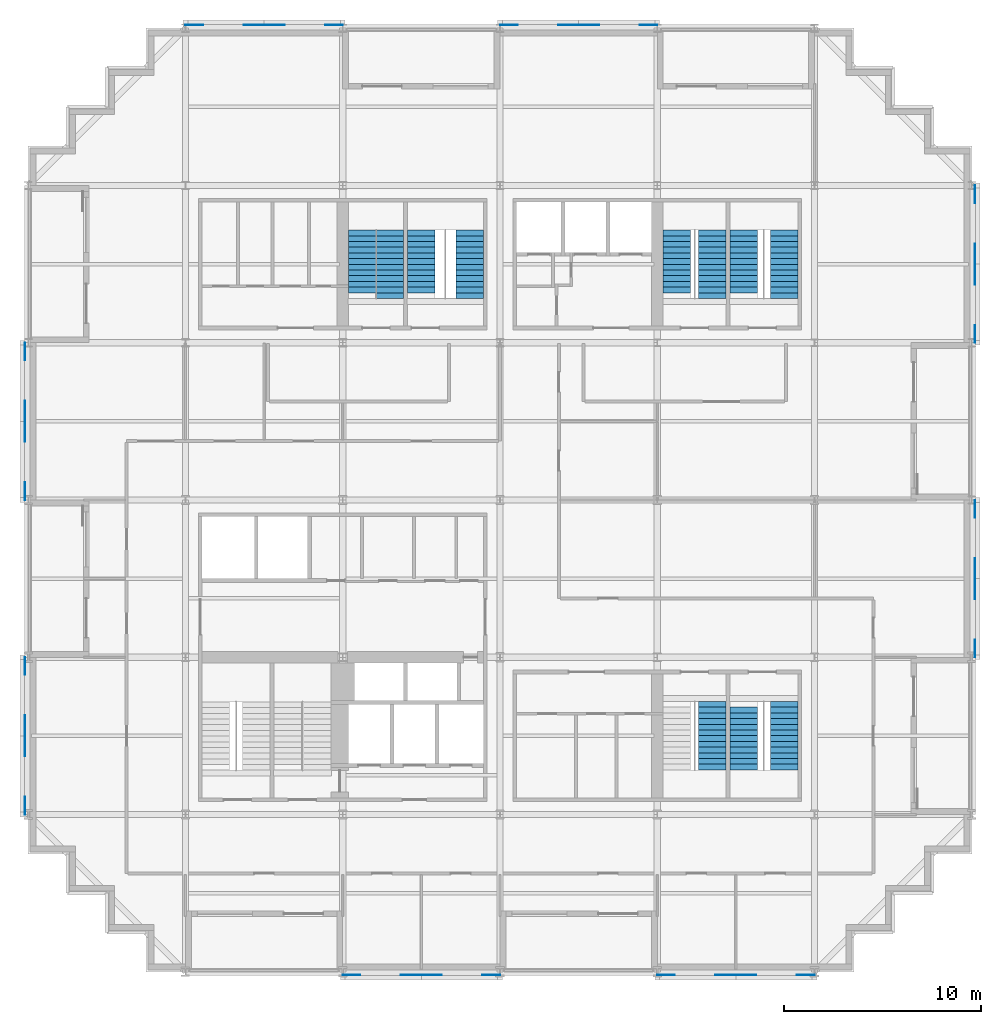
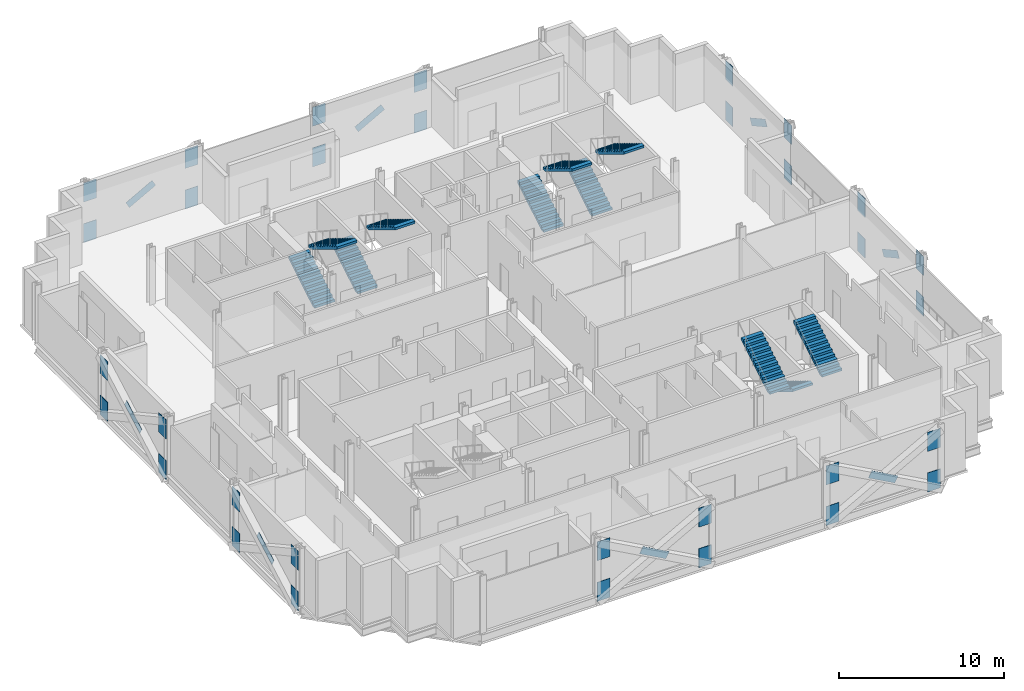
# One storey, part 10 of 12: 40 discrete accessories, 11 stair flights, 6 elements without a shape of their own.
"""IFC4 building model written with IfcOpenShell, lengths in metres."""

import ifcopenshell
import ifcopenshell.guid

model = None  # the IFC model being written
_history = None  # IfcOwnerHistory: only IFC2X3 demands one
_inside = {}  # id of a spatial element -> (the spatial element, [elements in it])
_under = {}  # id of a project, library or spatial element -> (it, [spatial elements below it])
_declared = {}  # id of a project -> (the project, [libraries it declares])
_typed = {}  # id of a type object -> (the type object, [elements of that type])
_made_of = {}  # id of a material, layer set ... -> (it, [elements and type objects made of it])


def new_model(schema):
    """Start an empty IFC model of exactly this schema.

    Asked for "IFC4X3", IfcOpenShell would pick the latest addendum, in which some entities
    have other attributes; the version numbers below select the first issue.
    IFC2X3 requires an IfcOwnerHistory on every rooted entity: one is made here for all.
    """
    global model, _history
    if schema == "IFC4X3":
        model = ifcopenshell.file(schema_version=(4, 3, 0, 0))
    else:
        model = ifcopenshell.file(schema=schema)
    _inside.clear()
    _under.clear()
    _declared.clear()
    _typed.clear()
    _made_of.clear()
    _history = None
    if model.schema == "IFC2X3":
        org = make("IfcOrganization", Name="unknown")
        user = make(
            "IfcPersonAndOrganization",
            ThePerson=make("IfcPerson", FamilyName="unknown"),
            TheOrganization=org,
        )
        app = make(
            "IfcApplication",
            ApplicationDeveloper=org,
            Version="unknown",
            ApplicationFullName="unknown",
            ApplicationIdentifier="unknown",
        )
        _history = make(
            "IfcOwnerHistory",
            OwningUser=user,
            OwningApplication=app,
            ChangeAction="ADDED",
            CreationDate=0,
        )
    return model


def make(cls, **values):
    """One entity of the class cls with the attributes given. An attribute that is None is left unset."""
    return model.create_entity(
        cls, **{name: value for name, value in values.items() if value is not None}
    )


def rooted(cls, **values):
    """An entity with a GlobalId (a new one), such as an element, a storey or a relation."""
    return make(cls, GlobalId=ifcopenshell.guid.new(), OwnerHistory=_history, **values)


def si_unit(unit_type, name, prefix=None):
    """IfcSIUnit, for example si_unit("LENGTHUNIT", "METRE", prefix="MILLI")."""
    return make("IfcSIUnit", UnitType=unit_type, Prefix=prefix, Name=name)


def assignment(units):
    """IfcUnitAssignment: the units of a project."""
    return None if units is None else make("IfcUnitAssignment", Units=units)


def point(xyz):
    """IfcCartesianPoint."""
    return None if xyz is None else make("IfcCartesianPoint", Coordinates=xyz)


def direction(xyz):
    """IfcDirection."""
    return None if xyz is None else make("IfcDirection", DirectionRatios=xyz)


def frame(location, z_axis=None, x_axis=None):
    """IfcAxis2Placement3D, a coordinate frame: its origin and axes. An axis left out is left unset."""
    return make(
        "IfcAxis2Placement3D",
        Location=point(location),
        Axis=direction(z_axis),
        RefDirection=direction(x_axis),
    )


def frame_2d(location, x_axis=None):
    """IfcAxis2Placement2D, a coordinate frame in the plane: its origin and x axis."""
    return make(
        "IfcAxis2Placement2D", Location=point(location), RefDirection=direction(x_axis)
    )


def origin():
    """The frame at (0, 0, 0) with its axes left unset."""
    return frame((0.0, 0.0, 0.0))


def origin_2d():
    """The frame at (0, 0) in the plane with its x axis left unset."""
    return frame_2d((0.0, 0.0))


def place(relative_to, where):
    """IfcLocalPlacement: puts the frame where relative to a parent placement (None: the world)."""
    return make(
        "IfcLocalPlacement", PlacementRelTo=relative_to, RelativePlacement=where
    )


def context(
    kind, dimensions, precision=None, world=None, true_north=None, identifier=None
):
    """IfcGeometricRepresentationContext, for example the 3D "Model" context."""
    return make(
        "IfcGeometricRepresentationContext",
        ContextIdentifier=identifier,
        ContextType=kind,
        CoordinateSpaceDimension=dimensions,
        Precision=precision,
        WorldCoordinateSystem=world,
        TrueNorth=true_north,
    )


def subcontext(parent, identifier, kind, view, scale=None):
    """IfcGeometricRepresentationSubContext, for example "Body" below "Model"."""
    return make(
        "IfcGeometricRepresentationSubContext",
        ContextIdentifier=identifier,
        ContextType=kind,
        ParentContext=parent,
        TargetScale=scale,
        TargetView=view,
    )


def project(units=None, contexts=None):
    """IfcProject with its units and contexts."""
    return rooted(
        "IfcProject",
        Name="project",
        RepresentationContexts=contexts,
        UnitsInContext=assignment(units),
    )


def spatial(cls, under=None, at=None, **own):
    """A site, building, storey or space (cls), placed at a placement, below another one or the project."""
    s = rooted(cls, ObjectPlacement=at, **own)
    if under is not None:
        _under.setdefault(under.id(), (under, []))[1].append(s)
    return s


def polyline(points):
    """IfcPolyline through the points."""
    return make("IfcPolyline", Points=[point(p) for p in points])


def profile(cls, at=None, kind="AREA", **sizes):
    """A parametric profile (cls). Its sizes go by their IFC names, for example OverallWidth=200.0."""
    return make(cls, ProfileType=kind, Position=at, **sizes)


def rectangle(**sizes):
    """IfcRectangleProfileDef."""
    return profile("IfcRectangleProfileDef", **sizes)


def outline(outer, holes=None, kind="AREA"):
    """IfcArbitraryClosedProfileDef: a profile drawn as a closed curve; with holes, ...WithVoids."""
    if holes is None:
        return make("IfcArbitraryClosedProfileDef", ProfileType=kind, OuterCurve=outer)
    return make(
        "IfcArbitraryProfileDefWithVoids",
        ProfileType=kind,
        OuterCurve=outer,
        InnerCurves=holes,
    )


def extrude(swept, where, along, depth):
    """IfcExtrudedAreaSolid: the profile swept, set in the frame where, extruded along a direction by depth."""
    return make(
        "IfcExtrudedAreaSolid",
        SweptArea=swept,
        Position=where,
        ExtrudedDirection=direction(along),
        Depth=depth,
    )


def shape(context_of_items, identifier, shape_type, items):
    """IfcShapeRepresentation: the items that make up one representation, for example the "Body"."""
    return make(
        "IfcShapeRepresentation",
        ContextOfItems=context_of_items,
        RepresentationIdentifier=identifier,
        RepresentationType=shape_type,
        Items=items,
    )


def material(Name=None, Category=None):
    """IfcMaterial."""
    return make("IfcMaterial", Name=Name, Category=Category)


def material_profile(
    of_material, cross_section, Name=None, Category=None, Priority=None
):
    """IfcMaterialProfile: a cross section and its material."""
    return make(
        "IfcMaterialProfile",
        Name=Name,
        Material=of_material,
        Profile=cross_section,
        Priority=Priority,
        Category=Category,
    )


def profile_set(profiles, Name=None, composite=None):
    """IfcMaterialProfileSet."""
    return make(
        "IfcMaterialProfileSet",
        Name=Name,
        MaterialProfiles=profiles,
        CompositeProfile=composite,
    )


def made_of(thing, what):
    """Note that an element or type object is made of a material, layer set ...; save() writes the relation."""
    if what is not None:
        _made_of.setdefault(what.id(), (what, []))[1].append(thing)
    return thing


def type_object(cls, material=None, **own):
    """A type object (cls), such as IfcWallType, which elements share."""
    return made_of(rooted(cls, **own), material)


def element(
    cls,
    number,
    at=None,
    inside=None,
    cuts=None,
    type_object=None,
    material=None,
    context=None,
    identifier="Body",
    shape_type=None,
    held_by="IfcProductDefinitionShape",
    body=None,
    shapes=None,
    **own,
):
    """One element of the class cls, such as IfcWall. Its Tag is "e" and its number.

    at: its placement. inside: the storey or other place that contains it. cuts: it is an
    opening in that element (IfcRelVoidsElement). A single representation is given by context,
    identifier, shape_type and body (its items); several are given by shapes. held_by: the class
    of the entity that holds the representations. save() writes the other relations.
    """
    e = rooted(cls, Tag="e%d" % number, ObjectPlacement=at, **own)
    if body is not None:
        shapes = [shape(context, identifier, shape_type, body)]
    if shapes is not None:
        e.Representation = make(held_by, Representations=shapes)
    if inside is not None:
        _inside.setdefault(inside.id(), (inside, []))[1].append(e)
    if cuts is not None:
        rooted(
            "IfcRelVoidsElement", RelatingBuildingElement=cuts, RelatedOpeningElement=e
        )
    if type_object is not None:
        _typed.setdefault(type_object.id(), (type_object, []))[1].append(e)
    return made_of(e, material)


def aggregate(whole, parts):
    """IfcRelAggregates: a whole, such as a stair, and the parts it consists of."""
    return rooted("IfcRelAggregates", RelatingObject=whole, RelatedObjects=parts)


def save(model, path):
    """Write the relations noted so far, then the file.

    IfcRelAggregates (storeys below a building ...), IfcRelContainedInSpatialStructure (elements
    in a storey), IfcRelDefinesByType, IfcRelAssociatesMaterial and IfcRelDeclares: one each for
    every whole, place, type object, material and project.
    """
    for whole, parts in _under.values():
        aggregate(whole, parts)
    for where, things in _inside.values():
        rooted(
            "IfcRelContainedInSpatialStructure",
            RelatedElements=things,
            RelatingStructure=where,
        )
    for kind, things in _typed.values():
        rooted("IfcRelDefinesByType", RelatedObjects=things, RelatingType=kind)
    for what, things in _made_of.values():
        rooted("IfcRelAssociatesMaterial", RelatedObjects=things, RelatingMaterial=what)
    for by, libraries in _declared.values():
        rooted("IfcRelDeclares", RelatingContext=by, RelatedDefinitions=libraries)
    model.write(path)


model = new_model("IFC4")

# Units and contexts
model_context = context("Model", 3, precision=1e-05, world=origin(), true_north=direction((0.0, 1.0)))
body_context = subcontext(model_context, "Body", "Model", "MODEL_VIEW")
ifc_project = project(units=[si_unit("LENGTHUNIT", "METRE"), si_unit("AREAUNIT", "SQUARE_METRE"), si_unit("VOLUMEUNIT", "CUBIC_METRE"), si_unit("PLANEANGLEUNIT", "RADIAN"), si_unit("MASSUNIT", "GRAM", prefix="KILO")], contexts=[model_context])

# Site, building, storey
site_placement = place(None, origin())
site = spatial("IfcSite", under=ifc_project, at=site_placement, CompositionType="ELEMENT")
building_placement = place(site_placement, origin())
building = spatial("IfcBuilding", under=site, at=building_placement, Name="Immortelle Media Tower", CompositionType="ELEMENT")
storey_placement = place(building_placement, frame((0.0, 0.0, 52.39990234375)))
storey = spatial("IfcBuildingStorey", under=building, at=storey_placement, Name="L08", CompositionType="ELEMENT", Elevation=52.39990234375)

# Stair, stair flight
ifc_material_1 = material(Name="Steel ASTM A992 Gr 50", Category="steel")
stair_type = type_object("IfcStairType", Name="Stair with flights", PredefinedType="DOUBLE_RETURN_STAIR", material=ifc_material_1)
stair_1_placement = place(storey_placement, origin())
stair_1 = element("IfcStair", 1, at=stair_1_placement, inside=storey, type_object=stair_type, Name="Exit stair SE1", PredefinedType="DOUBLE_RETURN_STAIR")
stair_flight_type = type_object("IfcStairFlightType", Name="Stair flight 1400", PredefinedType="STRAIGHT", material=ifc_material_1)
stair_flight_1_placement = place(storey_placement, frame((34.800048828125, 10.27001953125, 2.112060546875), z_axis=(0.0, 0.0, 1.0), x_axis=(0.0, 1.0, 0.0)))
stair_flight_1 = element("IfcStairFlight", 2, at=stair_flight_1_placement, type_object=stair_flight_type, Name="ST SE1 flight 2", NumberOfRisers=13, NumberOfTreads=12, PredefinedType="STRAIGHT", RiserHeight=0.176, TreadLength=0.29, context=body_context, shape_type="SweptSolid", body=[
    extrude(outline(polyline([(0.0, 0.0), (0.0, 0.176025390625), (0.2900390625, 0.176025390625), (0.2900390625, 0.35205078125), (0.580078125, 0.35205078125), (0.580078125, 0.528076171875), (0.8701171875, 0.528076171875), (0.8701171875, 0.7041015625), (1.159912109375, 0.7041015625), (1.159912109375, 0.8798828125), (1.449951171875, 0.8798828125), (1.449951171875, 1.055908203125), (1.739990234375, 1.055908203125), (1.739990234375, 1.23193359375), (2.030029296875, 1.23193359375), (2.030029296875, 1.407958984375), (2.320068359375, 1.407958984375), (2.320068359375, 1.583984375), (2.610107421875, 1.583984375), (2.610107421875, 1.760009765625), (2.89990234375, 1.760009765625), (2.89990234375, 1.93603515625), (3.18994140625, 1.93603515625), (3.18994140625, 2.112060546875), (3.47998046875, 2.112060546875), (3.47998046875, 2.2880859375), (3.47998046875, 1.936767578125), (0.288818359375, 0.0), (0.0, 0.0)])), frame((0.0, 0.699951171875, 0.0), z_axis=(0.0, -1.0, 0.0), x_axis=(1.0, 0.0, 0.0)), (0.0, 0.0, 1.0), 1.39990234375),
])
aggregate(stair_1, [stair_flight_1])

# Stair, stair flights
stair_2_placement = place(storey_placement, origin())
stair_2 = element("IfcStair", 3, at=stair_2_placement, inside=storey, type_object=stair_type, Name="Exit stair SE2", PredefinedType="DOUBLE_RETURN_STAIR")
stair_flight_2_placement = place(storey_placement, frame((36.39990234375, 13.4599609375, 0.0), z_axis=(0.0, 0.0, 1.0), x_axis=(0.0, -1.0, 0.0)))
stair_flight_2 = element("IfcStairFlight", 4, at=stair_flight_2_placement, type_object=stair_flight_type, Name="ST SE2 flight 1", NumberOfRisers=12, NumberOfTreads=11, PredefinedType="STRAIGHT", RiserHeight=0.176, TreadLength=0.29, context=body_context, shape_type="SweptSolid", body=[
    extrude(outline(polyline([(0.0, 0.0), (0.0, 0.176025390625), (0.2900390625, 0.176025390625), (0.2900390625, 0.35205078125), (0.580078125, 0.35205078125), (0.580078125, 0.528076171875), (0.8701171875, 0.528076171875), (0.8701171875, 0.7041015625), (1.159912109375, 0.7041015625), (1.159912109375, 0.8798828125), (1.449951171875, 0.8798828125), (1.449951171875, 1.055908203125), (1.739990234375, 1.055908203125), (1.739990234375, 1.23193359375), (2.030029296875, 1.23193359375), (2.030029296875, 1.407958984375), (2.320068359375, 1.407958984375), (2.320068359375, 1.583984375), (2.610107421875, 1.583984375), (2.610107421875, 1.760009765625), (2.89990234375, 1.760009765625), (2.89990234375, 1.93603515625), (3.18994140625, 1.93603515625), (3.18994140625, 2.112060546875), (3.18994140625, 1.7607421875), (0.288818359375, 0.0), (0.0, 0.0)])), frame((0.0, 0.699951171875, 0.0), z_axis=(0.0, -1.0, 0.0), x_axis=(1.0, 0.0, 0.0)), (0.0, 0.0, 1.0), 1.39990234375),
])
stair_flight_3_placement = place(storey_placement, frame((38.449951171875, 10.27001953125, 2.112060546875), z_axis=(0.0, 0.0, 1.0), x_axis=(0.0, 1.0, 0.0)))
stair_flight_3 = element("IfcStairFlight", 5, at=stair_flight_3_placement, type_object=stair_flight_type, Name="ST SE2 flight 2", NumberOfRisers=13, NumberOfTreads=12, PredefinedType="STRAIGHT", RiserHeight=0.176, TreadLength=0.29, context=body_context, shape_type="SweptSolid", body=[
    extrude(outline(polyline([(0.0, 0.0), (0.0, 0.176025390625), (0.2900390625, 0.176025390625), (0.2900390625, 0.35205078125), (0.580078125, 0.35205078125), (0.580078125, 0.528076171875), (0.8701171875, 0.528076171875), (0.8701171875, 0.7041015625), (1.159912109375, 0.7041015625), (1.159912109375, 0.8798828125), (1.449951171875, 0.8798828125), (1.449951171875, 1.055908203125), (1.739990234375, 1.055908203125), (1.739990234375, 1.23193359375), (2.030029296875, 1.23193359375), (2.030029296875, 1.407958984375), (2.320068359375, 1.407958984375), (2.320068359375, 1.583984375), (2.610107421875, 1.583984375), (2.610107421875, 1.760009765625), (2.89990234375, 1.760009765625), (2.89990234375, 1.93603515625), (3.18994140625, 1.93603515625), (3.18994140625, 2.112060546875), (3.47998046875, 2.112060546875), (3.47998046875, 2.2880859375), (3.47998046875, 1.936767578125), (0.288818359375, 0.0), (0.0, 0.0)])), frame((0.0, 0.699951171875, 0.0), z_axis=(0.0, -1.0, 0.0), x_axis=(1.0, 0.0, 0.0)), (0.0, 0.0, 1.0), 1.39990234375),
])
aggregate(stair_2, [stair_flight_2, stair_flight_3])

stair_3_placement = place(storey_placement, origin())
stair_3 = element("IfcStair", 6, at=stair_3_placement, inside=storey, type_object=stair_type, Name="Exit stair NW1", PredefinedType="DOUBLE_RETURN_STAIR")
stair_flight_4_placement = place(storey_placement, frame((17.0, 34.5400390625, 0.0), z_axis=(0.0, 0.0, 1.0), x_axis=(0.0, 1.0, 0.0)))
stair_flight_4 = element("IfcStairFlight", 7, at=stair_flight_4_placement, type_object=stair_flight_type, Name="ST NW1 flight 1", NumberOfRisers=12, NumberOfTreads=11, PredefinedType="STRAIGHT", RiserHeight=0.176, TreadLength=0.29, context=body_context, shape_type="SweptSolid", body=[
    extrude(outline(polyline([(0.0, 0.0), (0.0, 0.176025390625), (0.2900390625, 0.176025390625), (0.2900390625, 0.35205078125), (0.580078125, 0.35205078125), (0.580078125, 0.528076171875), (0.8701171875, 0.528076171875), (0.8701171875, 0.7041015625), (1.159912109375, 0.7041015625), (1.159912109375, 0.8798828125), (1.449951171875, 0.8798828125), (1.449951171875, 1.055908203125), (1.739990234375, 1.055908203125), (1.739990234375, 1.23193359375), (2.030029296875, 1.23193359375), (2.030029296875, 1.407958984375), (2.320068359375, 1.407958984375), (2.320068359375, 1.583984375), (2.610107421875, 1.583984375), (2.610107421875, 1.760009765625), (2.89990234375, 1.760009765625), (2.89990234375, 1.93603515625), (3.18994140625, 1.93603515625), (3.18994140625, 2.112060546875), (3.18994140625, 1.7607421875), (0.288818359375, 0.0), (0.0, 0.0)])), frame((0.0, 0.699951171875, 0.0), z_axis=(0.0, -1.0, 0.0), x_axis=(1.0, 0.0, 0.0)), (0.0, 0.0, 1.0), 1.39990234375),
])
stair_flight_5_placement = place(storey_placement, frame((18.39990234375, 37.72998046875, 2.112060546875), z_axis=(0.0, 0.0, 1.0), x_axis=(0.0, -1.0, 0.0)))
stair_flight_5 = element("IfcStairFlight", 8, at=stair_flight_5_placement, type_object=stair_flight_type, Name="ST NW1 flight 2", NumberOfRisers=13, NumberOfTreads=12, PredefinedType="STRAIGHT", RiserHeight=0.176, TreadLength=0.29, context=body_context, shape_type="SweptSolid", body=[
    extrude(outline(polyline([(0.0, 0.0), (0.0, 0.176025390625), (0.2900390625, 0.176025390625), (0.2900390625, 0.35205078125), (0.580078125, 0.35205078125), (0.580078125, 0.528076171875), (0.8701171875, 0.528076171875), (0.8701171875, 0.7041015625), (1.159912109375, 0.7041015625), (1.159912109375, 0.8798828125), (1.449951171875, 0.8798828125), (1.449951171875, 1.055908203125), (1.739990234375, 1.055908203125), (1.739990234375, 1.23193359375), (2.030029296875, 1.23193359375), (2.030029296875, 1.407958984375), (2.320068359375, 1.407958984375), (2.320068359375, 1.583984375), (2.610107421875, 1.583984375), (2.610107421875, 1.760009765625), (2.89990234375, 1.760009765625), (2.89990234375, 1.93603515625), (3.18994140625, 1.93603515625), (3.18994140625, 2.112060546875), (3.47998046875, 2.112060546875), (3.47998046875, 2.2880859375), (3.47998046875, 1.936767578125), (0.288818359375, 0.0), (0.0, 0.0)])), frame((0.0, 0.699951171875, 0.0), z_axis=(0.0, -1.0, 0.0), x_axis=(1.0, 0.0, 0.0)), (0.0, 0.0, 1.0), 1.39990234375),
])
aggregate(stair_3, [stair_flight_4, stair_flight_5])

stair_4_placement = place(storey_placement, origin())
stair_4 = element("IfcStair", 9, at=stair_4_placement, inside=storey, type_object=stair_type, Name="Exit stair NW2", PredefinedType="DOUBLE_RETURN_STAIR")
stair_flight_6_placement = place(storey_placement, frame((20.0, 34.5400390625, 0.0), z_axis=(0.0, 0.0, 1.0), x_axis=(0.0, 1.0, 0.0)))
stair_flight_6 = element("IfcStairFlight", 10, at=stair_flight_6_placement, type_object=stair_flight_type, Name="ST NW2 flight 1", NumberOfRisers=12, NumberOfTreads=11, PredefinedType="STRAIGHT", RiserHeight=0.176, TreadLength=0.29, context=body_context, shape_type="SweptSolid", body=[
    extrude(outline(polyline([(0.0, 0.0), (0.0, 0.176025390625), (0.2900390625, 0.176025390625), (0.2900390625, 0.35205078125), (0.580078125, 0.35205078125), (0.580078125, 0.528076171875), (0.8701171875, 0.528076171875), (0.8701171875, 0.7041015625), (1.159912109375, 0.7041015625), (1.159912109375, 0.8798828125), (1.449951171875, 0.8798828125), (1.449951171875, 1.055908203125), (1.739990234375, 1.055908203125), (1.739990234375, 1.23193359375), (2.030029296875, 1.23193359375), (2.030029296875, 1.407958984375), (2.320068359375, 1.407958984375), (2.320068359375, 1.583984375), (2.610107421875, 1.583984375), (2.610107421875, 1.760009765625), (2.89990234375, 1.760009765625), (2.89990234375, 1.93603515625), (3.18994140625, 1.93603515625), (3.18994140625, 2.112060546875), (3.18994140625, 1.7607421875), (0.288818359375, 0.0), (0.0, 0.0)])), frame((0.0, 0.699951171875, 0.0), z_axis=(0.0, -1.0, 0.0), x_axis=(1.0, 0.0, 0.0)), (0.0, 0.0, 1.0), 1.39990234375),
])
stair_flight_7_placement = place(storey_placement, frame((22.449951171875, 37.72998046875, 2.112060546875), z_axis=(0.0, 0.0, 1.0), x_axis=(0.0, -1.0, 0.0)))
stair_flight_7 = element("IfcStairFlight", 11, at=stair_flight_7_placement, type_object=stair_flight_type, Name="ST NW2 flight 2", NumberOfRisers=13, NumberOfTreads=12, PredefinedType="STRAIGHT", RiserHeight=0.176, TreadLength=0.29, context=body_context, shape_type="SweptSolid", body=[
    extrude(outline(polyline([(0.0, 0.0), (0.0, 0.176025390625), (0.2900390625, 0.176025390625), (0.2900390625, 0.35205078125), (0.580078125, 0.35205078125), (0.580078125, 0.528076171875), (0.8701171875, 0.528076171875), (0.8701171875, 0.7041015625), (1.159912109375, 0.7041015625), (1.159912109375, 0.8798828125), (1.449951171875, 0.8798828125), (1.449951171875, 1.055908203125), (1.739990234375, 1.055908203125), (1.739990234375, 1.23193359375), (2.030029296875, 1.23193359375), (2.030029296875, 1.407958984375), (2.320068359375, 1.407958984375), (2.320068359375, 1.583984375), (2.610107421875, 1.583984375), (2.610107421875, 1.760009765625), (2.89990234375, 1.760009765625), (2.89990234375, 1.93603515625), (3.18994140625, 1.93603515625), (3.18994140625, 2.112060546875), (3.47998046875, 2.112060546875), (3.47998046875, 2.2880859375), (3.47998046875, 1.936767578125), (0.288818359375, 0.0), (0.0, 0.0)])), frame((0.0, 0.699951171875, 0.0), z_axis=(0.0, -1.0, 0.0), x_axis=(1.0, 0.0, 0.0)), (0.0, 0.0, 1.0), 1.39990234375),
])
aggregate(stair_4, [stair_flight_6, stair_flight_7])

stair_5_placement = place(storey_placement, origin())
stair_5 = element("IfcStair", 12, at=stair_5_placement, inside=storey, type_object=stair_type, Name="Exit stair NE1", PredefinedType="DOUBLE_RETURN_STAIR")
stair_flight_8_placement = place(storey_placement, frame((33.0, 34.5400390625, 0.0), z_axis=(0.0, 0.0, 1.0), x_axis=(0.0, 1.0, 0.0)))
stair_flight_8 = element("IfcStairFlight", 13, at=stair_flight_8_placement, type_object=stair_flight_type, Name="ST NE1 flight 1", NumberOfRisers=12, NumberOfTreads=11, PredefinedType="STRAIGHT", RiserHeight=0.176, TreadLength=0.29, context=body_context, shape_type="SweptSolid", body=[
    extrude(outline(polyline([(0.0, 0.0), (0.0, 0.176025390625), (0.2900390625, 0.176025390625), (0.2900390625, 0.35205078125), (0.580078125, 0.35205078125), (0.580078125, 0.528076171875), (0.8701171875, 0.528076171875), (0.8701171875, 0.7041015625), (1.159912109375, 0.7041015625), (1.159912109375, 0.8798828125), (1.449951171875, 0.8798828125), (1.449951171875, 1.055908203125), (1.739990234375, 1.055908203125), (1.739990234375, 1.23193359375), (2.030029296875, 1.23193359375), (2.030029296875, 1.407958984375), (2.320068359375, 1.407958984375), (2.320068359375, 1.583984375), (2.610107421875, 1.583984375), (2.610107421875, 1.760009765625), (2.89990234375, 1.760009765625), (2.89990234375, 1.93603515625), (3.18994140625, 1.93603515625), (3.18994140625, 2.112060546875), (3.18994140625, 1.7607421875), (0.288818359375, 0.0), (0.0, 0.0)])), frame((0.0, 0.699951171875, 0.0), z_axis=(0.0, -1.0, 0.0), x_axis=(1.0, 0.0, 0.0)), (0.0, 0.0, 1.0), 1.39990234375),
])
stair_flight_9_placement = place(storey_placement, frame((34.800048828125, 37.72998046875, 2.112060546875), z_axis=(0.0, 0.0, 1.0), x_axis=(0.0, -1.0, 0.0)))
stair_flight_9 = element("IfcStairFlight", 14, at=stair_flight_9_placement, type_object=stair_flight_type, Name="ST NE1 flight 2", NumberOfRisers=13, NumberOfTreads=12, PredefinedType="STRAIGHT", RiserHeight=0.176, TreadLength=0.29, context=body_context, shape_type="SweptSolid", body=[
    extrude(outline(polyline([(0.0, 0.0), (0.0, 0.176025390625), (0.2900390625, 0.176025390625), (0.2900390625, 0.35205078125), (0.580078125, 0.35205078125), (0.580078125, 0.528076171875), (0.8701171875, 0.528076171875), (0.8701171875, 0.7041015625), (1.159912109375, 0.7041015625), (1.159912109375, 0.8798828125), (1.449951171875, 0.8798828125), (1.449951171875, 1.055908203125), (1.739990234375, 1.055908203125), (1.739990234375, 1.23193359375), (2.030029296875, 1.23193359375), (2.030029296875, 1.407958984375), (2.320068359375, 1.407958984375), (2.320068359375, 1.583984375), (2.610107421875, 1.583984375), (2.610107421875, 1.760009765625), (2.89990234375, 1.760009765625), (2.89990234375, 1.93603515625), (3.18994140625, 1.93603515625), (3.18994140625, 2.112060546875), (3.47998046875, 2.112060546875), (3.47998046875, 2.2880859375), (3.47998046875, 1.936767578125), (0.288818359375, 0.0), (0.0, 0.0)])), frame((0.0, 0.699951171875, 0.0), z_axis=(0.0, -1.0, 0.0), x_axis=(1.0, 0.0, 0.0)), (0.0, 0.0, 1.0), 1.39990234375),
])
aggregate(stair_5, [stair_flight_8, stair_flight_9])

stair_6_placement = place(storey_placement, origin())
stair_6 = element("IfcStair", 15, at=stair_6_placement, inside=storey, type_object=stair_type, Name="Exit stair NE2", PredefinedType="DOUBLE_RETURN_STAIR")
stair_flight_10_placement = place(storey_placement, frame((36.39990234375, 34.5400390625, 0.0), z_axis=(0.0, 0.0, 1.0), x_axis=(0.0, 1.0, 0.0)))
stair_flight_10 = element("IfcStairFlight", 16, at=stair_flight_10_placement, type_object=stair_flight_type, Name="ST NE2 flight 1", NumberOfRisers=12, NumberOfTreads=11, PredefinedType="STRAIGHT", RiserHeight=0.176, TreadLength=0.29, context=body_context, shape_type="SweptSolid", body=[
    extrude(outline(polyline([(0.0, 0.0), (0.0, 0.176025390625), (0.2900390625, 0.176025390625), (0.2900390625, 0.35205078125), (0.580078125, 0.35205078125), (0.580078125, 0.528076171875), (0.8701171875, 0.528076171875), (0.8701171875, 0.7041015625), (1.159912109375, 0.7041015625), (1.159912109375, 0.8798828125), (1.449951171875, 0.8798828125), (1.449951171875, 1.055908203125), (1.739990234375, 1.055908203125), (1.739990234375, 1.23193359375), (2.030029296875, 1.23193359375), (2.030029296875, 1.407958984375), (2.320068359375, 1.407958984375), (2.320068359375, 1.583984375), (2.610107421875, 1.583984375), (2.610107421875, 1.760009765625), (2.89990234375, 1.760009765625), (2.89990234375, 1.93603515625), (3.18994140625, 1.93603515625), (3.18994140625, 2.112060546875), (3.18994140625, 1.7607421875), (0.288818359375, 0.0), (0.0, 0.0)])), frame((0.0, 0.699951171875, 0.0), z_axis=(0.0, -1.0, 0.0), x_axis=(1.0, 0.0, 0.0)), (0.0, 0.0, 1.0), 1.39990234375),
])
stair_flight_11_placement = place(storey_placement, frame((38.449951171875, 37.72998046875, 2.112060546875), z_axis=(0.0, 0.0, 1.0), x_axis=(0.0, -1.0, 0.0)))
stair_flight_11 = element("IfcStairFlight", 17, at=stair_flight_11_placement, type_object=stair_flight_type, Name="ST NE2 flight 2", NumberOfRisers=13, NumberOfTreads=12, PredefinedType="STRAIGHT", RiserHeight=0.176, TreadLength=0.29, context=body_context, shape_type="SweptSolid", body=[
    extrude(outline(polyline([(0.0, 0.0), (0.0, 0.176025390625), (0.2900390625, 0.176025390625), (0.2900390625, 0.35205078125), (0.580078125, 0.35205078125), (0.580078125, 0.528076171875), (0.8701171875, 0.528076171875), (0.8701171875, 0.7041015625), (1.159912109375, 0.7041015625), (1.159912109375, 0.8798828125), (1.449951171875, 0.8798828125), (1.449951171875, 1.055908203125), (1.739990234375, 1.055908203125), (1.739990234375, 1.23193359375), (2.030029296875, 1.23193359375), (2.030029296875, 1.407958984375), (2.320068359375, 1.407958984375), (2.320068359375, 1.583984375), (2.610107421875, 1.583984375), (2.610107421875, 1.760009765625), (2.89990234375, 1.760009765625), (2.89990234375, 1.93603515625), (3.18994140625, 1.93603515625), (3.18994140625, 2.112060546875), (3.47998046875, 2.112060546875), (3.47998046875, 2.2880859375), (3.47998046875, 1.936767578125), (0.288818359375, 0.0), (0.0, 0.0)])), frame((0.0, 0.699951171875, 0.0), z_axis=(0.0, -1.0, 0.0), x_axis=(1.0, 0.0, 0.0)), (0.0, 0.0, 1.0), 1.39990234375),
])
aggregate(stair_6, [stair_flight_10, stair_flight_11])

# Discrete accessories
ifc_material_2 = material(Name="Steel ASTM A572 Gr 50", Category="steel")
ifc_material_profile_1 = material_profile(ifc_material_2, rectangle(XDim=0.02392578125, YDim=0.508056640625, at=origin_2d()), Name="PL 24 x 508")
ifc_profile_set_1 = profile_set([ifc_material_profile_1], Name="Steel ASTM A572 Gr 50")
discrete_accessory_type_1 = type_object("IfcDiscreteAccessoryType", Name="Crossing plate XP-BR2 2100 x 508 x 24", PredefinedType="USERDEFINED", material=ifc_profile_set_1)
for number, where, z_axis, x_axis, name in (
    (18, (-0.1640625, 28.919921875, 2.2080078125), (0.0, -0.876206089199, -0.481936602937), (1.0, 0.0, 0.0), "Crossing plate XP-BR2 of Brace 1/D-E A and Brace 1/D-E B"),
    (19, (-0.1640625, 12.919921875, 2.2080078125), (0.0, -0.876206089199, -0.481936602937), (1.0, 0.0, 0.0), "Crossing plate XP-BR2 of Brace 1/B-C A and Brace 1/B-C B"),
    (20, (48.1640625, 19.080078125, 2.2080078125), (0.0, 0.876206089199, -0.481936602937), (-1.0, 0.0, 0.0), "Crossing plate XP-BR2 of Brace 7/C-D A and Brace 7/C-D B"),
    (21, (48.1640625, 35.080078125, 2.2080078125), (0.0, 0.876206089199, -0.481936602937), (-1.0, 0.0, 0.0), "Crossing plate XP-BR2 of Brace 7/E-F A and Brace 7/E-F B"),
    (22, (28.919921875, 48.1640625, 2.2080078125), (-0.876206089199, 0.0, -0.481936602937), (0.0, -1.0, 0.0), "Crossing plate XP-BR2 of Brace G/4-5 A and Brace G/4-5 B"),
    (23, (12.919921875, 48.1640625, 2.2080078125), (-0.876206089199, 0.0, -0.481936602937), (0.0, -1.0, 0.0), "Crossing plate XP-BR2 of Brace G/2-3 A and Brace G/2-3 B"),
    (24, (19.080078125, -0.1640625, 2.2080078125), (0.876206089199, 0.0, -0.481936602937), (0.0, 1.0, 0.0), "Crossing plate XP-BR2 of Brace A/3-4 A and Brace A/3-4 B"),
    (25, (35.080078125, -0.1640625, 2.2080078125), (0.876206089199, 0.0, -0.481936602937), (0.0, 1.0, 0.0), "Crossing plate XP-BR2 of Brace A/5-6 A and Brace A/5-6 B"),
):
    element("IfcDiscreteAccessory", number, at=place(storey_placement, frame(where, z_axis=z_axis, x_axis=x_axis)), inside=storey, type_object=discrete_accessory_type_1, Name=name, ObjectType="CROSSING PLATE", PredefinedType="USERDEFINED", context=body_context, shape_type="SweptSolid", body=[
        extrude(rectangle(XDim=0.02392578125, YDim=0.508056640625, at=origin_2d()), origin(), (0.0, 0.0, 1.0), 2.099853515625),
    ])
ifc_material_profile_2 = material_profile(ifc_material_2, rectangle(XDim=0.031982421875, YDim=1.39990234375, at=origin_2d()), Name="PL 32 x 1400")
ifc_profile_set_2 = profile_set([ifc_material_profile_2], Name="Steel ASTM A572 Gr 50")
discrete_accessory_type_2 = type_object("IfcDiscreteAccessoryType", Name="Gusset plate GP1 900 x 1400 x 32", PredefinedType="USERDEFINED", material=ifc_profile_set_2)
for number, where, z_axis, x_axis, name in (
    (26, (-0.1640625, 32.0, 0.2021484375), (0.0, -1.0, 0.0), (1.0, 0.0, 0.0), "Gusset plate GP1, lower end of Brace 1/D-E A"),
    (27, (-0.1640625, 24.0, 3.2021484375), (0.0, 1.0, 0.0), (-1.0, 0.0, 0.0), "Gusset plate GP1, upper end of Brace 1/D-E A"),
    (28, (-0.1640625, 24.0, 0.2021484375), (0.0, 1.0, 0.0), (-1.0, 0.0, 0.0), "Gusset plate GP1, lower end of Brace 1/D-E B"),
    (29, (-0.1640625, 32.0, 3.2021484375), (0.0, -1.0, 0.0), (1.0, 0.0, 0.0), "Gusset plate GP1, upper end of Brace 1/D-E B"),
    (30, (-0.1640625, 16.0, 0.2021484375), (0.0, -1.0, 0.0), (1.0, 0.0, 0.0), "Gusset plate GP1, lower end of Brace 1/B-C A"),
    (31, (-0.1640625, 8.0, 3.2021484375), (0.0, 1.0, 0.0), (-1.0, 0.0, 0.0), "Gusset plate GP1, upper end of Brace 1/B-C A"),
    (32, (-0.1640625, 8.0, 0.2021484375), (0.0, 1.0, 0.0), (-1.0, 0.0, 0.0), "Gusset plate GP1, lower end of Brace 1/B-C B"),
    (33, (-0.1640625, 16.0, 3.2021484375), (0.0, -1.0, 0.0), (1.0, 0.0, 0.0), "Gusset plate GP1, upper end of Brace 1/B-C B"),
    (34, (16.0, -0.1640625, 0.2021484375), (1.0, 0.0, 0.0), (0.0, 1.0, 0.0), "Gusset plate GP1, lower end of Brace A/3-4 A"),
    (35, (24.0, -0.1640625, 3.2021484375), (-1.0, 0.0, 0.0), (0.0, -1.0, 0.0), "Gusset plate GP1, upper end of Brace A/3-4 A"),
    (36, (24.0, -0.1640625, 0.2021484375), (-1.0, 0.0, 0.0), (0.0, -1.0, 0.0), "Gusset plate GP1, lower end of Brace A/3-4 B"),
    (37, (16.0, -0.1640625, 3.2021484375), (1.0, 0.0, 0.0), (0.0, 1.0, 0.0), "Gusset plate GP1, upper end of Brace A/3-4 B"),
    (38, (32.0, -0.1640625, 0.2021484375), (1.0, 0.0, 0.0), (0.0, 1.0, 0.0), "Gusset plate GP1, lower end of Brace A/5-6 A"),
    (39, (40.0, -0.1640625, 3.2021484375), (-1.0, 0.0, 0.0), (0.0, -1.0, 0.0), "Gusset plate GP1, upper end of Brace A/5-6 A"),
    (40, (40.0, -0.1640625, 0.2021484375), (-1.0, 0.0, 0.0), (0.0, -1.0, 0.0), "Gusset plate GP1, lower end of Brace A/5-6 B"),
    (41, (32.0, -0.1640625, 3.2021484375), (1.0, 0.0, 0.0), (0.0, 1.0, 0.0), "Gusset plate GP1, upper end of Brace A/5-6 B"),
    (42, (48.1640625, 16.0, 0.2021484375), (0.0, 1.0, 0.0), (-1.0, 0.0, 0.0), "Gusset plate GP1, lower end of Brace 7/C-D A"),
    (43, (48.1640625, 24.0, 3.2021484375), (0.0, -1.0, 0.0), (1.0, 0.0, 0.0), "Gusset plate GP1, upper end of Brace 7/C-D A"),
    (44, (48.1640625, 24.0, 0.2021484375), (0.0, -1.0, 0.0), (1.0, 0.0, 0.0), "Gusset plate GP1, lower end of Brace 7/C-D B"),
    (45, (48.1640625, 16.0, 3.2021484375), (0.0, 1.0, 0.0), (-1.0, 0.0, 0.0), "Gusset plate GP1, upper end of Brace 7/C-D B"),
    (46, (48.1640625, 32.0, 0.2021484375), (0.0, 1.0, 0.0), (-1.0, 0.0, 0.0), "Gusset plate GP1, lower end of Brace 7/E-F A"),
    (47, (48.1640625, 40.0, 3.2021484375), (0.0, -1.0, 0.0), (1.0, 0.0, 0.0), "Gusset plate GP1, upper end of Brace 7/E-F A"),
    (48, (48.1640625, 40.0, 0.2021484375), (0.0, -1.0, 0.0), (1.0, 0.0, 0.0), "Gusset plate GP1, lower end of Brace 7/E-F B"),
    (49, (48.1640625, 32.0, 3.2021484375), (0.0, 1.0, 0.0), (-1.0, 0.0, 0.0), "Gusset plate GP1, upper end of Brace 7/E-F B"),
    (50, (32.0, 48.1640625, 0.2021484375), (-1.0, 0.0, 0.0), (0.0, -1.0, 0.0), "Gusset plate GP1, lower end of Brace G/4-5 A"),
    (51, (24.0, 48.1640625, 3.2021484375), (1.0, 0.0, 0.0), (0.0, 1.0, 0.0), "Gusset plate GP1, upper end of Brace G/4-5 A"),
    (52, (24.0, 48.1640625, 0.2021484375), (1.0, 0.0, 0.0), (0.0, 1.0, 0.0), "Gusset plate GP1, lower end of Brace G/4-5 B"),
    (53, (32.0, 48.1640625, 3.2021484375), (-1.0, 0.0, 0.0), (0.0, -1.0, 0.0), "Gusset plate GP1, upper end of Brace G/4-5 B"),
    (54, (16.0, 48.1640625, 0.2021484375), (-1.0, 0.0, 0.0), (0.0, -1.0, 0.0), "Gusset plate GP1, lower end of Brace G/2-3 A"),
    (55, (8.0, 48.1640625, 3.2021484375), (1.0, 0.0, 0.0), (0.0, 1.0, 0.0), "Gusset plate GP1, upper end of Brace G/2-3 A"),
    (56, (8.0, 48.1640625, 0.2021484375), (1.0, 0.0, 0.0), (0.0, 1.0, 0.0), "Gusset plate GP1, lower end of Brace G/2-3 B"),
    (57, (16.0, 48.1640625, 3.2021484375), (-1.0, 0.0, 0.0), (0.0, -1.0, 0.0), "Gusset plate GP1, upper end of Brace G/2-3 B"),
):
    element("IfcDiscreteAccessory", number, at=place(storey_placement, frame(where, z_axis=z_axis, x_axis=x_axis)), inside=storey, type_object=discrete_accessory_type_2, Name=name, ObjectType="GUSSET PLATE", PredefinedType="USERDEFINED", context=body_context, shape_type="SweptSolid", body=[
        extrude(rectangle(XDim=0.031982421875, YDim=1.39990234375, at=origin_2d()), origin(), (0.0, 0.0, 1.0), 0.89990234375),
    ])

save(model, "model.ifc")
